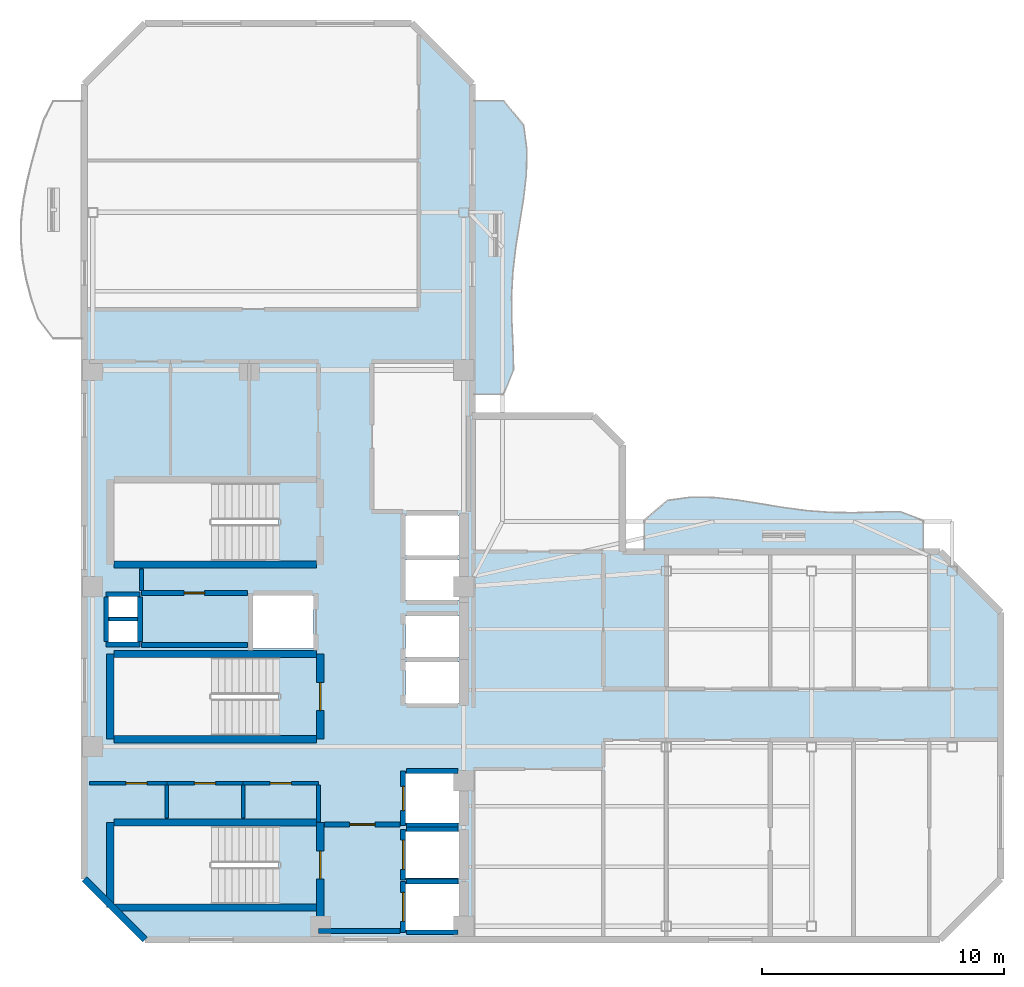
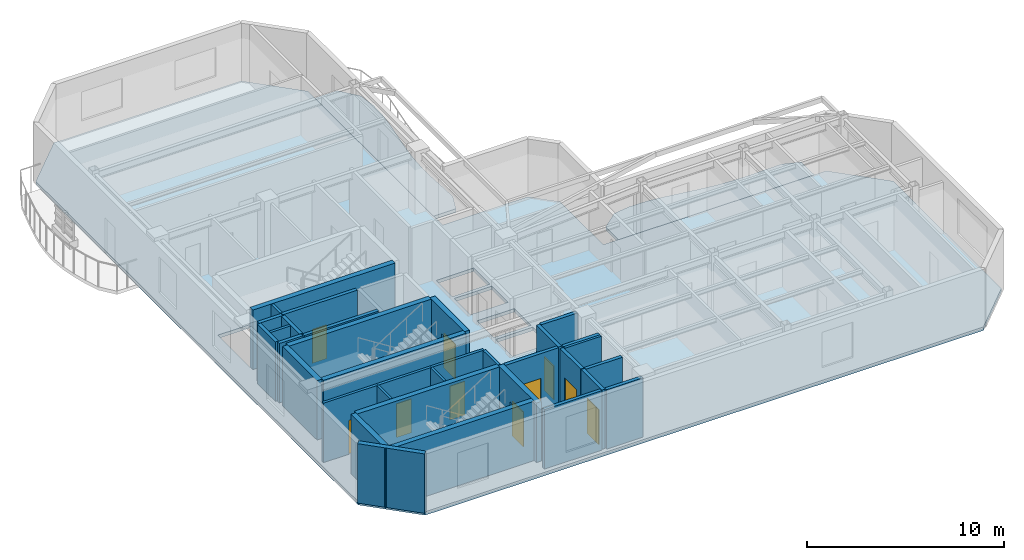
# One storey, part 2 of 7: 34 walls, 10 doors, 3 slabs, 10 openings.
"""IFC4 building model written with IfcOpenShell, lengths in metres."""

import ifcopenshell
import ifcopenshell.guid

model = None  # the IFC model being written
_history = None  # IfcOwnerHistory: only IFC2X3 demands one
_inside = {}  # id of a spatial element -> (the spatial element, [elements in it])
_under = {}  # id of a project, library or spatial element -> (it, [spatial elements below it])
_declared = {}  # id of a project -> (the project, [libraries it declares])
_typed = {}  # id of a type object -> (the type object, [elements of that type])
_made_of = {}  # id of a material, layer set ... -> (it, [elements and type objects made of it])


def new_model(schema):
    """Start an empty IFC model of exactly this schema.

    Asked for "IFC4X3", IfcOpenShell would pick the latest addendum, in which some entities
    have other attributes; the version numbers below select the first issue.
    IFC2X3 requires an IfcOwnerHistory on every rooted entity: one is made here for all.
    """
    global model, _history
    if schema == "IFC4X3":
        model = ifcopenshell.file(schema_version=(4, 3, 0, 0))
    else:
        model = ifcopenshell.file(schema=schema)
    _inside.clear()
    _under.clear()
    _declared.clear()
    _typed.clear()
    _made_of.clear()
    _history = None
    if model.schema == "IFC2X3":
        org = make("IfcOrganization", Name="unknown")
        user = make(
            "IfcPersonAndOrganization",
            ThePerson=make("IfcPerson", FamilyName="unknown"),
            TheOrganization=org,
        )
        app = make(
            "IfcApplication",
            ApplicationDeveloper=org,
            Version="unknown",
            ApplicationFullName="unknown",
            ApplicationIdentifier="unknown",
        )
        _history = make(
            "IfcOwnerHistory",
            OwningUser=user,
            OwningApplication=app,
            ChangeAction="ADDED",
            CreationDate=0,
        )
    return model


def make(cls, **values):
    """One entity of the class cls with the attributes given. An attribute that is None is left unset."""
    return model.create_entity(
        cls, **{name: value for name, value in values.items() if value is not None}
    )


def rooted(cls, **values):
    """An entity with a GlobalId (a new one), such as an element, a storey or a relation."""
    return make(cls, GlobalId=ifcopenshell.guid.new(), OwnerHistory=_history, **values)


def si_unit(unit_type, name, prefix=None):
    """IfcSIUnit, for example si_unit("LENGTHUNIT", "METRE", prefix="MILLI")."""
    return make("IfcSIUnit", UnitType=unit_type, Prefix=prefix, Name=name)


def assignment(units):
    """IfcUnitAssignment: the units of a project."""
    return None if units is None else make("IfcUnitAssignment", Units=units)


def point(xyz):
    """IfcCartesianPoint."""
    return None if xyz is None else make("IfcCartesianPoint", Coordinates=xyz)


def direction(xyz):
    """IfcDirection."""
    return None if xyz is None else make("IfcDirection", DirectionRatios=xyz)


def frame(location, z_axis=None, x_axis=None):
    """IfcAxis2Placement3D, a coordinate frame: its origin and axes. An axis left out is left unset."""
    return make(
        "IfcAxis2Placement3D",
        Location=point(location),
        Axis=direction(z_axis),
        RefDirection=direction(x_axis),
    )


def frame_2d(location, x_axis=None):
    """IfcAxis2Placement2D, a coordinate frame in the plane: its origin and x axis."""
    return make(
        "IfcAxis2Placement2D", Location=point(location), RefDirection=direction(x_axis)
    )


def origin():
    """The frame at (0, 0, 0) with its axes left unset."""
    return frame((0.0, 0.0, 0.0))


def place(relative_to, where):
    """IfcLocalPlacement: puts the frame where relative to a parent placement (None: the world)."""
    return make(
        "IfcLocalPlacement", PlacementRelTo=relative_to, RelativePlacement=where
    )


def context(
    kind, dimensions, precision=None, world=None, true_north=None, identifier=None
):
    """IfcGeometricRepresentationContext, for example the 3D "Model" context."""
    return make(
        "IfcGeometricRepresentationContext",
        ContextIdentifier=identifier,
        ContextType=kind,
        CoordinateSpaceDimension=dimensions,
        Precision=precision,
        WorldCoordinateSystem=world,
        TrueNorth=true_north,
    )


def subcontext(parent, identifier, kind, view, scale=None):
    """IfcGeometricRepresentationSubContext, for example "Body" below "Model"."""
    return make(
        "IfcGeometricRepresentationSubContext",
        ContextIdentifier=identifier,
        ContextType=kind,
        ParentContext=parent,
        TargetScale=scale,
        TargetView=view,
    )


def project(units=None, contexts=None):
    """IfcProject with its units and contexts."""
    return rooted(
        "IfcProject",
        Name="project",
        RepresentationContexts=contexts,
        UnitsInContext=assignment(units),
    )


def spatial(cls, under=None, at=None, **own):
    """A site, building, storey or space (cls), placed at a placement, below another one or the project."""
    s = rooted(cls, ObjectPlacement=at, **own)
    if under is not None:
        _under.setdefault(under.id(), (under, []))[1].append(s)
    return s


def polyline(points):
    """IfcPolyline through the points."""
    return make("IfcPolyline", Points=[point(p) for p in points])


def profile(cls, at=None, kind="AREA", **sizes):
    """A parametric profile (cls). Its sizes go by their IFC names, for example OverallWidth=200.0."""
    return make(cls, ProfileType=kind, Position=at, **sizes)


def rectangle(**sizes):
    """IfcRectangleProfileDef."""
    return profile("IfcRectangleProfileDef", **sizes)


def outline(outer, holes=None, kind="AREA"):
    """IfcArbitraryClosedProfileDef: a profile drawn as a closed curve; with holes, ...WithVoids."""
    if holes is None:
        return make("IfcArbitraryClosedProfileDef", ProfileType=kind, OuterCurve=outer)
    return make(
        "IfcArbitraryProfileDefWithVoids",
        ProfileType=kind,
        OuterCurve=outer,
        InnerCurves=holes,
    )


def extrude(swept, where, along, depth):
    """IfcExtrudedAreaSolid: the profile swept, set in the frame where, extruded along a direction by depth."""
    return make(
        "IfcExtrudedAreaSolid",
        SweptArea=swept,
        Position=where,
        ExtrudedDirection=direction(along),
        Depth=depth,
    )


def shape(context_of_items, identifier, shape_type, items):
    """IfcShapeRepresentation: the items that make up one representation, for example the "Body"."""
    return make(
        "IfcShapeRepresentation",
        ContextOfItems=context_of_items,
        RepresentationIdentifier=identifier,
        RepresentationType=shape_type,
        Items=items,
    )


def material(Name=None, Category=None):
    """IfcMaterial."""
    return make("IfcMaterial", Name=Name, Category=Category)


def layer(
    of_material, thickness, ventilated=None, Name=None, Category=None, Priority=None
):
    """IfcMaterialLayer: one layer of a wall or slab, of a material (None: an air gap)."""
    return make(
        "IfcMaterialLayer",
        Material=of_material,
        LayerThickness=thickness,
        IsVentilated=ventilated,
        Name=Name,
        Category=Category,
        Priority=Priority,
    )


def layer_set(layers, Name=None):
    """IfcMaterialLayerSet."""
    return make("IfcMaterialLayerSet", MaterialLayers=layers, LayerSetName=Name)


def made_of(thing, what):
    """Note that an element or type object is made of a material, layer set ...; save() writes the relation."""
    if what is not None:
        _made_of.setdefault(what.id(), (what, []))[1].append(thing)
    return thing


def type_object(cls, material=None, **own):
    """A type object (cls), such as IfcWallType, which elements share."""
    return made_of(rooted(cls, **own), material)


def element(
    cls,
    number,
    at=None,
    inside=None,
    cuts=None,
    type_object=None,
    material=None,
    context=None,
    identifier="Body",
    shape_type=None,
    held_by="IfcProductDefinitionShape",
    body=None,
    shapes=None,
    **own,
):
    """One element of the class cls, such as IfcWall. Its Tag is "e" and its number.

    at: its placement. inside: the storey or other place that contains it. cuts: it is an
    opening in that element (IfcRelVoidsElement). A single representation is given by context,
    identifier, shape_type and body (its items); several are given by shapes. held_by: the class
    of the entity that holds the representations. save() writes the other relations.
    """
    e = rooted(cls, Tag="e%d" % number, ObjectPlacement=at, **own)
    if body is not None:
        shapes = [shape(context, identifier, shape_type, body)]
    if shapes is not None:
        e.Representation = make(held_by, Representations=shapes)
    if inside is not None:
        _inside.setdefault(inside.id(), (inside, []))[1].append(e)
    if cuts is not None:
        rooted(
            "IfcRelVoidsElement", RelatingBuildingElement=cuts, RelatedOpeningElement=e
        )
    if type_object is not None:
        _typed.setdefault(type_object.id(), (type_object, []))[1].append(e)
    return made_of(e, material)


def fill(opening, filler):
    """IfcRelFillsElement: the door or window that sits in an opening."""
    return rooted(
        "IfcRelFillsElement",
        RelatingOpeningElement=opening,
        RelatedBuildingElement=filler,
    )


def aggregate(whole, parts):
    """IfcRelAggregates: a whole, such as a stair, and the parts it consists of."""
    return rooted("IfcRelAggregates", RelatingObject=whole, RelatedObjects=parts)


def save(model, path):
    """Write the relations noted so far, then the file.

    IfcRelAggregates (storeys below a building ...), IfcRelContainedInSpatialStructure (elements
    in a storey), IfcRelDefinesByType, IfcRelAssociatesMaterial and IfcRelDeclares: one each for
    every whole, place, type object, material and project.
    """
    for whole, parts in _under.values():
        aggregate(whole, parts)
    for where, things in _inside.values():
        rooted(
            "IfcRelContainedInSpatialStructure",
            RelatedElements=things,
            RelatingStructure=where,
        )
    for kind, things in _typed.values():
        rooted("IfcRelDefinesByType", RelatedObjects=things, RelatingType=kind)
    for what, things in _made_of.values():
        rooted("IfcRelAssociatesMaterial", RelatedObjects=things, RelatingMaterial=what)
    for by, libraries in _declared.values():
        rooted("IfcRelDeclares", RelatingContext=by, RelatedDefinitions=libraries)
    model.write(path)


model = new_model("IFC4")

# Units and contexts
model_context = context("Model", 3, precision=1e-05, world=origin(), true_north=direction((0.0, 1.0)))
body_context = subcontext(model_context, "Body", "Model", "MODEL_VIEW")
ifc_project = project(units=[si_unit("LENGTHUNIT", "METRE"), si_unit("AREAUNIT", "SQUARE_METRE"), si_unit("VOLUMEUNIT", "CUBIC_METRE"), si_unit("PLANEANGLEUNIT", "RADIAN"), si_unit("MASSUNIT", "GRAM", prefix="KILO")], contexts=[model_context])

# Site, building, storey
site_placement = place(None, origin())
site = spatial("IfcSite", under=ifc_project, at=site_placement, CompositionType="ELEMENT")
building_placement = place(site_placement, origin())
building = spatial("IfcBuilding", under=site, at=building_placement, Name="Mawjaban Terraces University", CompositionType="ELEMENT")
storey_placement = place(building_placement, frame((0.0, 0.0, 283.300048828125)))
storey = spatial("IfcBuildingStorey", under=building, at=storey_placement, Name="L69", CompositionType="ELEMENT", Elevation=283.300048828125)

# Slabs
ifc_material_1 = material(Name="Concrete C40/50", Category="concrete")
ifc_layer_1 = layer(ifc_material_1, 0.2099609375)
ifc_layer_set_1 = layer_set([ifc_layer_1], Name="Concrete C40/50")
slab_type_1 = type_object("IfcSlabType", Name="BalconySlab_210_Ext", PredefinedType="FLOOR", material=ifc_layer_set_1)
slab_1_placement = place(storey_placement, frame((0.0, 0.0, -0.2099609375)))
element("IfcSlab", 1, at=slab_1_placement, inside=storey, type_object=slab_type_1, Name="L69 Planted Balcony Slab inner_north", PredefinedType="FLOOR", context=body_context, shape_type="SweptSolid", body=[
    extrude(outline(polyline([(45.10009765625, 15.989990234375), (56.60009765625, 15.989990234375), (56.60009765625, 17.300048828125), (55.64208984375, 17.655029296875), (54.68310546875, 17.638916015625), (53.72509765625, 17.612060546875), (52.76708984375, 17.625), (51.80810546875, 17.696044921875), (50.85009765625, 17.822998046875), (49.89208984375, 17.98095703125), (48.93310546875, 18.134033203125), (47.97509765625, 18.239013671875), (47.01708984375, 18.251953125), (46.05810546875, 18.118896484375), (45.10009765625, 17.300048828125), (45.10009765625, 15.989990234375)])), origin(), (0.0, 0.0, 1.0), 0.2099609375),
])
slab_2_placement = place(storey_placement, frame((0.0, 0.0, -0.2099609375)))
element("IfcSlab", 2, at=slab_2_placement, inside=storey, type_object=slab_type_1, Name="L69 Planted Balcony Slab inner_east", PredefinedType="FLOOR", context=body_context, shape_type="SweptSolid", body=[
    extrude(outline(polyline([(39.300048828125, 22.5), (39.7041015625, 23.508056640625), (39.678955078125, 24.51708984375), (39.631103515625, 25.52490234375), (39.62109375, 26.532958984375), (39.675048828125, 27.5419921875), (39.79296875, 28.550048828125), (39.952880859375, 29.55810546875), (40.114990234375, 30.56689453125), (40.23095703125, 31.574951171875), (40.251953125, 32.5830078125), (40.12109375, 33.592041015625), (39.300048828125, 34.60009765625), (37.989990234375, 34.60009765625), (37.989990234375, 22.5), (39.300048828125, 22.5)])), origin(), (0.0, 0.0, 1.0), 0.2099609375),
])
ifc_layer_2 = layer(ifc_material_1, 0.2099609375)
ifc_layer_set_2 = layer_set([ifc_layer_2], Name="Concrete C40/50")
slab_type_2 = type_object("IfcSlabType", Name="CompositeSlab_210", PredefinedType="FLOOR", material=ifc_layer_set_2)
slab_3_placement = place(storey_placement, frame((0.0, 0.0, -0.2099609375)))
element("IfcSlab", 3, at=slab_3_placement, inside=storey, type_object=slab_type_2, Name="L69 Primary Structural Slab", PredefinedType="FLOOR", context=body_context, shape_type="SweptSolid", body=[
    extrude(outline(polyline([(24.5, 0.0), (57.300048828125, 0.0), (59.800048828125, 2.5), (59.800048828125, 13.5), (57.300048828125, 16.0), (44.199951171875, 16.0), (44.199951171875, 20.39990234375), (43.0, 21.60009765625), (38.0, 21.60009765625), (38.0, 35.300048828125), (35.5, 37.800048828125), (24.5, 37.800048828125), (22.0, 35.300048828125), (22.0, 2.5), (24.5, 0.0)]), holes=[polyline([(30.014892578125, 4.699951171875), (23.199951171875, 4.699951171875), (23.199951171875, 1.449951171875), (30.014892578125, 1.449951171875), (30.014892578125, 4.699951171875)]), polyline([(30.014892578125, 18.85009765625), (23.199951171875, 18.85009765625), (23.199951171875, 15.60009765625), (30.014892578125, 15.60009765625), (30.014892578125, 18.85009765625)]), polyline([(30.014892578125, 11.64990234375), (23.199951171875, 11.64990234375), (23.199951171875, 8.39990234375), (30.014892578125, 8.39990234375), (30.014892578125, 11.64990234375)]), polyline([(35.25, 0.39990234375), (37.449951171875, 0.39990234375), (37.449951171875, 2.300048828125), (35.25, 2.300048828125), (35.25, 0.39990234375)]), polyline([(35.25, 2.550048828125), (37.449951171875, 2.550048828125), (37.449951171875, 4.449951171875), (35.25, 4.449951171875), (35.25, 2.550048828125)]), polyline([(35.25, 4.800048828125), (37.449951171875, 4.800048828125), (37.449951171875, 6.85009765625), (35.25, 6.85009765625), (35.25, 4.800048828125)]), polyline([(35.25, 9.75), (37.449951171875, 9.75), (37.449951171875, 11.449951171875), (35.25, 11.449951171875), (35.25, 9.75)]), polyline([(35.25, 11.64990234375), (37.449951171875, 11.64990234375), (37.449951171875, 13.35009765625), (35.25, 13.35009765625), (35.25, 11.64990234375)]), polyline([(28.949951171875, 12.0), (31.449951171875, 12.0), (31.449951171875, 14.199951171875), (28.949951171875, 14.199951171875), (28.949951171875, 12.0)]), polyline([(35.25, 14.0), (37.449951171875, 14.0), (37.449951171875, 15.64990234375), (35.25, 15.64990234375), (35.25, 14.0)]), polyline([(35.25, 15.85009765625), (37.449951171875, 15.85009765625), (37.449951171875, 17.5), (35.25, 17.5), (35.25, 15.85009765625)]), polyline([(23.0, 12.25), (24.199951171875, 12.25), (24.199951171875, 13.14990234375), (23.0, 13.14990234375), (23.0, 12.25)]), polyline([(23.0, 13.300048828125), (24.199951171875, 13.300048828125), (24.199951171875, 14.179931640625), (23.0, 14.179931640625), (23.0, 13.300048828125)])]), origin(), (0.0, 0.0, 1.0), 0.2099609375),
])

# Wall, opening, door
ifc_material_2 = material(Name="Fire-rated gypsum board on steel stud", Category="steel")
ifc_layer_3 = layer(ifc_material_2, 0.159912109375)
ifc_layer_set_3 = layer_set([ifc_layer_3], Name="Fire-rated gypsum board on steel stud")
wall_type_1 = type_object("IfcWallType", Name="CorridorPartition_160", PredefinedType="PARTITIONING", material=ifc_layer_set_3)
wall_1_placement = place(storey_placement, frame((22.199951171875, 6.449951171875, 0.0), z_axis=(0.0, 0.0, 1.0), x_axis=(1.0, 0.0, 0.0)))
wall_1 = element("IfcWall", 4, at=wall_1_placement, inside=storey, type_object=wall_type_1, Name="L69 Core Washroom Lobby Partition 1", PredefinedType="PARTITIONING", context=body_context, shape_type="SweptSolid", body=[
    extrude(rectangle(XDim=3.199951171875, YDim=0.159912109375, at=frame_2d((1.60009765625, 0.0))), origin(), (0.0, 0.0, 1.0), 3.68994140625),
])
opening_1_placement = place(wall_1_placement, frame((1.510009765625, 0.0, 0.0)))
opening_1 = element("IfcOpeningElement", 5, at=opening_1_placement, cuts=wall_1, Name="Opening ID-088", PredefinedType="OPENING", context=body_context, shape_type="SweptSolid", body=[
    extrude(rectangle(XDim=0.8798828125, YDim=2.10009765625, at=frame_2d((0.43994140625, 1.050048828125))), frame((0.0, 0.08984375, 0.0), z_axis=(0.0, -1.0, 0.0), x_axis=(1.0, 0.0, 0.0)), (0.0, 0.0, 1.0), 0.179931640625),
])
ifc_material_3 = material(Name="Powder-coated steel frame and solid acoustic timber leaf", Category="steel")
door_type_1 = type_object("IfcDoorType", Name="ToiletDoor_880x2100", OperationType="NOTDEFINED", PredefinedType="DOOR", material=ifc_material_3)
door_1_placement = place(opening_1_placement, origin())
door_1 = element("IfcDoor", 6, at=door_1_placement, inside=storey, type_object=door_type_1, Name="L69 Male Toilet Door", OperationType="SINGLE_SWING_RIGHT", OverallHeight=2.10009765625, OverallWidth=0.8798828125, PredefinedType="DOOR", context=body_context, shape_type="SweptSolid", body=[
    extrude(rectangle(XDim=0.8798828125, YDim=2.10009765625, at=frame_2d((0.43994140625, 1.050048828125))), frame((0.0, 0.02490234375, 0.0), z_axis=(0.0, -1.0, 0.0), x_axis=(1.0, 0.0, 0.0)), (0.0, 0.0, 1.0), 0.050048828125),
])
fill(opening_1, door_1)

wall_2_placement = place(storey_placement, frame((25.39990234375, 6.449951171875, 0.0), z_axis=(0.0, 0.0, 1.0), x_axis=(1.0, 0.0, 0.0)))
wall_2 = element("IfcWall", 7, at=wall_2_placement, inside=storey, type_object=wall_type_1, Name="L69 Core Washroom Lobby Partition 4", PredefinedType="PARTITIONING", context=body_context, shape_type="SweptSolid", body=[
    extrude(rectangle(XDim=3.150146484375, YDim=0.159912109375, at=frame_2d((1.5751953125, 0.0))), origin(), (0.0, 0.0, 1.0), 3.68994140625),
])
opening_2_placement = place(wall_2_placement, frame((1.135009765625, 0.0, 0.0)))
opening_2 = element("IfcOpeningElement", 8, at=opening_2_placement, cuts=wall_2, Name="Opening ID-088", PredefinedType="OPENING", context=body_context, shape_type="SweptSolid", body=[
    extrude(rectangle(XDim=0.8798828125, YDim=2.10009765625, at=frame_2d((0.43994140625, 1.050048828125))), frame((0.0, 0.08984375, 0.0), z_axis=(0.0, -1.0, 0.0), x_axis=(1.0, 0.0, 0.0)), (0.0, 0.0, 1.0), 0.179931640625),
])
door_2_placement = place(opening_2_placement, origin())
door_2 = element("IfcDoor", 9, at=door_2_placement, inside=storey, type_object=door_type_1, Name="L69 Female Toilet Door", OperationType="SINGLE_SWING_LEFT", OverallHeight=2.10009765625, OverallWidth=0.8798828125, PredefinedType="DOOR", context=body_context, shape_type="SweptSolid", body=[
    extrude(rectangle(XDim=0.8798828125, YDim=2.10009765625, at=frame_2d((0.43994140625, 1.050048828125))), frame((0.0, 0.02490234375, 0.0), z_axis=(0.0, -1.0, 0.0), x_axis=(1.0, 0.0, 0.0)), (0.0, 0.0, 1.0), 0.050048828125),
])
fill(opening_2, door_2)

wall_3_placement = place(storey_placement, frame((28.550048828125, 6.449951171875, 0.0), z_axis=(0.0, 0.0, 1.0), x_axis=(1.0, 0.0, 0.0)))
wall_3 = element("IfcWall", 10, at=wall_3_placement, inside=storey, type_object=wall_type_1, Name="L69 Core Washroom Lobby Partition 6", PredefinedType="PARTITIONING", context=body_context, shape_type="SweptSolid", body=[
    extrude(rectangle(XDim=3.099853515625, YDim=0.159912109375, at=frame_2d((1.5498046875, 0.0))), origin(), (0.0, 0.0, 1.0), 3.68994140625),
])
opening_3_placement = place(wall_3_placement, frame((1.110107421875, 0.0, 0.0)))
opening_3 = element("IfcOpeningElement", 11, at=opening_3_placement, cuts=wall_3, Name="Opening ID-088", PredefinedType="OPENING", context=body_context, shape_type="SweptSolid", body=[
    extrude(rectangle(XDim=0.8798828125, YDim=2.10009765625, at=frame_2d((0.43994140625, 1.050048828125))), frame((0.0, 0.08984375, 0.0), z_axis=(0.0, -1.0, 0.0), x_axis=(1.0, 0.0, 0.0)), (0.0, 0.0, 1.0), 0.179931640625),
])
door_3_placement = place(opening_3_placement, origin())
door_3 = element("IfcDoor", 12, at=door_3_placement, inside=storey, type_object=door_type_1, Name="L69 Accessible Toilet Door", OperationType="SINGLE_SWING_RIGHT", OverallHeight=2.10009765625, OverallWidth=0.8798828125, PredefinedType="DOOR", context=body_context, shape_type="SweptSolid", body=[
    extrude(rectangle(XDim=0.8798828125, YDim=2.10009765625, at=frame_2d((0.43994140625, 1.050048828125))), frame((0.0, 0.02490234375, 0.0), z_axis=(0.0, -1.0, 0.0), x_axis=(1.0, 0.0, 0.0)), (0.0, 0.0, 1.0), 0.050048828125),
])
fill(opening_3, door_3)

# Walls
wall_4_placement = place(storey_placement, frame((24.35009765625, 15.2900390625, 0.0), z_axis=(0.0, 0.0, 1.0), x_axis=(0.0, -1.0, 0.0)))
element("IfcWall", 13, at=wall_4_placement, inside=storey, type_object=wall_type_1, Name="L69 Core Riser Access Passage Partition 27", PredefinedType="PARTITIONING", context=body_context, shape_type="SweptSolid", body=[
    extrude(rectangle(XDim=0.89501953125, YDim=0.159912109375, at=frame_2d((0.447509765625, 0.0))), origin(), (0.0, 0.0, 1.0), 3.68994140625),
])
wall_5_placement = place(storey_placement, frame((31.64990234375, 4.860107421875, 0.0), z_axis=(0.0, 0.0, 1.0), x_axis=(0.0, 1.0, 0.0)))
element("IfcWall", 14, at=wall_5_placement, inside=storey, type_object=wall_type_1, Name="L69 Accessible Toilet Partition 32", PredefinedType="PARTITIONING", context=body_context, shape_type="SweptSolid", body=[
    extrude(rectangle(XDim=1.514892578125, YDim=0.159912109375, at=frame_2d((0.75732421875, 0.0))), origin(), (0.0, 0.0, 1.0), 3.68994140625),
])
ifc_material_4 = material(Name="Insulated terracotta rainscreen on concrete backup C40/50", Category="masonry")
ifc_layer_4 = layer(ifc_material_4, 0.27490234375)
ifc_layer_set_4 = layer_set([ifc_layer_4], Name="Insulated terracotta rainscreen on concrete backup C40/50")
wall_type_2 = type_object("IfcWallType", Name="ExtTerracottaWall_275", PredefinedType="SOLIDWALL", material=ifc_layer_set_4)
wall_6_placement = place(storey_placement, frame((22.0, 2.5, 0.0), z_axis=(0.0, 0.0, 1.0), x_axis=(0.707106781187, -0.707106781187, 0.0)))
element("IfcWall", 15, at=wall_6_placement, inside=storey, type_object=wall_type_2, Name="L69 Exterior Terracotta Wall 14", PredefinedType="SOLIDWALL", context=body_context, shape_type="SweptSolid", body=[
    extrude(rectangle(XDim=3.53564453125, YDim=0.27490234375, at=frame_2d((1.767822265625, 0.0))), origin(), (0.0, 0.0, 1.0), 3.68994140625),
])

# Wall, opening, door
ifc_layer_5 = layer(ifc_material_1, 0.199951171875)
ifc_layer_set_5 = layer_set([ifc_layer_5], Name="Concrete C40/50")
wall_type_3 = type_object("IfcWallType", Name="FireLobbyWall_200", PredefinedType="SOLIDWALL", material=ifc_layer_set_5)
wall_7_placement = place(storey_placement, frame((35.14990234375, 2.39990234375, 0.0), z_axis=(0.0, 0.0, 1.0), x_axis=(0.0, -1.0, 0.0)))
wall_7 = element("IfcWall", 16, at=wall_7_placement, inside=storey, type_object=wall_type_3, Name="L69 Lift FL-1 Hoistway Wall West", PredefinedType="SOLIDWALL", context=body_context, shape_type="SweptSolid", body=[
    extrude(rectangle(XDim=2.099853515625, YDim=0.199951171875, at=frame_2d((1.0498046875, 0.0))), origin(), (0.0, 0.0, 1.0), 3.68994140625),
])
opening_4_placement = place(wall_7_placement, frame((0.449951171875, 0.0, 0.0)))
opening_4 = element("IfcOpeningElement", 17, at=opening_4_placement, cuts=wall_7, Name="Opening LD-FL-1", PredefinedType="OPENING", context=body_context, shape_type="SweptSolid", body=[
    extrude(rectangle(XDim=1.199951171875, YDim=2.14990234375, at=frame_2d((0.60009765625, 1.074951171875))), frame((0.0, 0.10986328125, 0.0), z_axis=(0.0, -1.0, 0.0), x_axis=(1.0, 0.0, 0.0)), (0.0, 0.0, 1.0), 0.219970703125),
])
ifc_material_5 = material(Name="Powder-coated steel frame and fire-rated steel-faced leaf", Category="steel")
door_type_2 = type_object("IfcDoorType", Name="LiftLandingFSAE_1200x2150", OperationType="NOTDEFINED", PredefinedType="DOOR", material=ifc_material_5)
door_4_placement = place(opening_4_placement, origin())
door_4 = element("IfcDoor", 18, at=door_4_placement, inside=storey, type_object=door_type_2, Name="L69 Lift FL-1 Sliding Landing Door", OperationType="DOUBLE_DOOR_SLIDING", OverallHeight=2.14990234375, OverallWidth=1.199951171875, PredefinedType="DOOR", context=body_context, shape_type="SweptSolid", body=[
    extrude(rectangle(XDim=1.199951171875, YDim=2.14990234375, at=frame_2d((0.60009765625, 1.074951171875))), frame((0.0, 0.02490234375, 0.0), z_axis=(0.0, -1.0, 0.0), x_axis=(1.0, 0.0, 0.0)), (0.0, 0.0, 1.0), 0.050048828125),
])
fill(opening_4, door_4)

# Walls
for number, where, z_axis, x_axis, name in (
    (19, (35.280029296875, 0.300048828125, 0.0), (0.0, 0.0, 1.0), (1.0, 0.0, 0.0), "L69 Lift FL-1 Hoistway Wall South"),
    (20, (37.419921875, 2.39990234375, 0.0), (0.0, 0.0, 1.0), (-1.0, 0.0, 0.0), "L69 Lift FL-1 Hoistway Wall North"),
):
    element("IfcWall", number, at=place(storey_placement, frame(where, z_axis=z_axis, x_axis=x_axis)), inside=storey, type_object=wall_type_3, Name=name, PredefinedType="SOLIDWALL", context=body_context, shape_type="SweptSolid", body=[
        extrude(rectangle(XDim=2.139892578125, YDim=0.199951171875, at=frame_2d((1.06982421875, 0.0))), origin(), (0.0, 0.0, 1.0), 3.68994140625),
    ])

# Wall, opening, door
wall_8_placement = place(storey_placement, frame((35.14990234375, 4.550048828125, 0.0), z_axis=(0.0, 0.0, 1.0), x_axis=(0.0, -1.0, 0.0)))
wall_8 = element("IfcWall", 21, at=wall_8_placement, inside=storey, type_object=wall_type_3, Name="L69 Lift FL-2 Hoistway Wall West", PredefinedType="SOLIDWALL", context=body_context, shape_type="SweptSolid", body=[
    extrude(rectangle(XDim=2.10009765625, YDim=0.199951171875, at=frame_2d((1.050048828125, 0.0))), origin(), (0.0, 0.0, 1.0), 3.68994140625),
])
opening_5_placement = place(wall_8_placement, frame((0.449951171875, 0.0, 0.0)))
opening_5 = element("IfcOpeningElement", 22, at=opening_5_placement, cuts=wall_8, Name="Opening LD-FL-2", PredefinedType="OPENING", context=body_context, shape_type="SweptSolid", body=[
    extrude(rectangle(XDim=1.199951171875, YDim=2.14990234375, at=frame_2d((0.60009765625, 1.074951171875))), frame((0.0, 0.10986328125, 0.0), z_axis=(0.0, -1.0, 0.0), x_axis=(1.0, 0.0, 0.0)), (0.0, 0.0, 1.0), 0.219970703125),
])
door_5_placement = place(opening_5_placement, origin())
door_5 = element("IfcDoor", 23, at=door_5_placement, inside=storey, type_object=door_type_2, Name="L69 Lift FL-2 Sliding Landing Door", OperationType="DOUBLE_DOOR_SLIDING", OverallHeight=2.14990234375, OverallWidth=1.199951171875, PredefinedType="DOOR", context=body_context, shape_type="SweptSolid", body=[
    extrude(rectangle(XDim=1.199951171875, YDim=2.14990234375, at=frame_2d((0.60009765625, 1.074951171875))), frame((0.0, 0.02490234375, 0.0), z_axis=(0.0, -1.0, 0.0), x_axis=(1.0, 0.0, 0.0)), (0.0, 0.0, 1.0), 0.050048828125),
])
fill(opening_5, door_5)

# Wall
wall_9_placement = place(storey_placement, frame((37.419921875, 4.550048828125, 0.0), z_axis=(0.0, 0.0, 1.0), x_axis=(-1.0, 0.0, 0.0)))
element("IfcWall", 24, at=wall_9_placement, inside=storey, type_object=wall_type_3, Name="L69 Lift FL-2 Hoistway Wall North", PredefinedType="SOLIDWALL", context=body_context, shape_type="SweptSolid", body=[
    extrude(rectangle(XDim=2.139892578125, YDim=0.199951171875, at=frame_2d((1.06982421875, 0.0))), origin(), (0.0, 0.0, 1.0), 3.68994140625),
])

# Wall, opening, door
wall_10_placement = place(storey_placement, frame((35.14990234375, 6.949951171875, 0.0), z_axis=(0.0, 0.0, 1.0), x_axis=(0.0, -1.0, 0.0)))
wall_10 = element("IfcWall", 25, at=wall_10_placement, inside=storey, type_object=wall_type_3, Name="L69 Lift SL-1 Hoistway Wall West", PredefinedType="SOLIDWALL", context=body_context, shape_type="SweptSolid", body=[
    extrude(rectangle(XDim=2.25, YDim=0.199951171875, at=frame_2d((1.125, 0.0))), origin(), (0.0, 0.0, 1.0), 3.68994140625),
])
opening_6_placement = place(wall_10_placement, frame((0.625, 0.0, 0.0)))
opening_6 = element("IfcOpeningElement", 26, at=opening_6_placement, cuts=wall_10, Name="Opening LD-SL-1", PredefinedType="OPENING", context=body_context, shape_type="SweptSolid", body=[
    extrude(rectangle(XDim=1.0, YDim=2.10009765625, at=frame_2d((0.5, 1.050048828125))), frame((0.0, 0.10986328125, 0.0), z_axis=(0.0, -1.0, 0.0), x_axis=(1.0, 0.0, 0.0)), (0.0, 0.0, 1.0), 0.219970703125),
])
door_type_3 = type_object("IfcDoorType", Name="LiftLandingSliding_1000x2100", OperationType="NOTDEFINED", PredefinedType="DOOR", material=ifc_material_5)
door_6_placement = place(opening_6_placement, origin())
door_6 = element("IfcDoor", 27, at=door_6_placement, inside=storey, type_object=door_type_3, Name="L69 Lift SL-1 Sliding Landing Door", OperationType="DOUBLE_DOOR_SLIDING", OverallHeight=2.10009765625, OverallWidth=1.0, PredefinedType="DOOR", context=body_context, shape_type="SweptSolid", body=[
    extrude(rectangle(XDim=1.0, YDim=2.10009765625, at=frame_2d((0.5, 1.050048828125))), frame((0.0, 0.02490234375, 0.0), z_axis=(0.0, -1.0, 0.0), x_axis=(1.0, 0.0, 0.0)), (0.0, 0.0, 1.0), 0.050048828125),
])
fill(opening_6, door_6)

# Walls
for number, where, z_axis, x_axis, name in (
    (28, (35.280029296875, 4.699951171875, 0.0), (0.0, 0.0, 1.0), (1.0, 0.0, 0.0), "L69 Lift SL-1 Hoistway Wall South"),
    (29, (37.419921875, 6.949951171875, 0.0), (0.0, 0.0, 1.0), (-1.0, 0.0, 0.0), "L69 Lift SL-1 Hoistway Wall North"),
):
    element("IfcWall", number, at=place(storey_placement, frame(where, z_axis=z_axis, x_axis=x_axis)), inside=storey, type_object=wall_type_3, Name=name, PredefinedType="SOLIDWALL", context=body_context, shape_type="SweptSolid", body=[
        extrude(rectangle(XDim=2.139892578125, YDim=0.199951171875, at=frame_2d((1.06982421875, 0.0))), origin(), (0.0, 0.0, 1.0), 3.68994140625),
    ])
for number, where, z_axis, x_axis, name in (
    (30, (22.89990234375, 14.25, 0.0), (0.0, 0.0, 1.0), (1.0, 0.0, 0.0), "L69 MEP Riser Shaft Wall N"),
    (31, (22.89990234375, 12.179931640625, 0.0), (0.0, 0.0, 1.0), (1.0, 0.0, 0.0), "L69 MEP Riser Shaft Wall S"),
):
    element("IfcWall", number, at=place(storey_placement, frame(where, z_axis=z_axis, x_axis=x_axis)), inside=storey, type_object=wall_type_3, Name=name, PredefinedType="SOLIDWALL", context=body_context, shape_type="SweptSolid", body=[
        extrude(rectangle(XDim=1.400146484375, YDim=0.199951171875, at=frame_2d((0.7001953125, 0.0))), origin(), (0.0, 0.0, 1.0), 3.68994140625),
    ])
for number, where, z_axis, x_axis, name in (
    (32, (24.300048828125, 12.300048828125, 0.0), (0.0, 0.0, 1.0), (0.0, 1.0, 0.0), "L69 MEP Riser Shaft Wall E"),
    (33, (22.89990234375, 12.300048828125, 0.0), (0.0, 0.0, 1.0), (0.0, 1.0, 0.0), "L69 MEP Riser Shaft Wall W"),
):
    element("IfcWall", number, at=place(storey_placement, frame(where, z_axis=z_axis, x_axis=x_axis)), inside=storey, type_object=wall_type_3, Name=name, PredefinedType="SOLIDWALL", context=body_context, shape_type="SweptSolid", body=[
        extrude(rectangle(XDim=1.829833984375, YDim=0.199951171875, at=frame_2d((0.9150390625, 0.0))), origin(), (0.0, 0.0, 1.0), 3.68994140625),
    ])
wall_11_placement = place(storey_placement, frame((24.35009765625, 12.14990234375, 0.0), z_axis=(0.0, 0.0, 1.0), x_axis=(1.0, 0.0, 0.0)))
element("IfcWall", 34, at=wall_11_placement, inside=storey, type_object=wall_type_3, Name="L69 IT and Telecoms Riser Room Partition 2", PredefinedType="SOLIDWALL", context=body_context, shape_type="SweptSolid", body=[
    extrude(rectangle(XDim=4.369873046875, YDim=0.199951171875, at=frame_2d((2.18505859375, 0.0))), origin(), (0.0, 0.0, 1.0), 3.68994140625),
])

# Wall, opening, door
wall_12_placement = place(storey_placement, frame((24.35009765625, 14.300048828125, 0.0), z_axis=(0.0, 0.0, 1.0), x_axis=(1.0, 0.0, 0.0)))
wall_12 = element("IfcWall", 35, at=wall_12_placement, inside=storey, type_object=wall_type_3, Name="L69 Core Riser Access Passage Partition 3", PredefinedType="SOLIDWALL", context=body_context, shape_type="SweptSolid", body=[
    extrude(rectangle(XDim=4.369873046875, YDim=0.199951171875, at=frame_2d((2.18505859375, 0.0))), origin(), (0.0, 0.0, 1.0), 3.68994140625),
])
opening_7_placement = place(wall_12_placement, frame((1.760009765625, 0.0, 0.0)))
opening_7 = element("IfcOpeningElement", 36, at=opening_7_placement, cuts=wall_12, Name="Opening FD-085", PredefinedType="OPENING", context=body_context, shape_type="SweptSolid", body=[
    extrude(rectangle(XDim=0.85009765625, YDim=2.10009765625, at=frame_2d((0.425048828125, 1.050048828125))), frame((0.0, 0.10986328125, 0.0), z_axis=(0.0, -1.0, 0.0), x_axis=(1.0, 0.0, 0.0)), (0.0, 0.0, 1.0), 0.219970703125),
])
door_type_4 = type_object("IfcDoorType", Name="FireRiserDoor_850x2100", OperationType="NOTDEFINED", PredefinedType="DOOR", material=ifc_material_5)
door_7_placement = place(opening_7_placement, origin())
door_7 = element("IfcDoor", 37, at=door_7_placement, inside=storey, type_object=door_type_4, Name="L69 IT and Telecoms Riser Room Door", OperationType="SINGLE_SWING_LEFT", OverallHeight=2.10009765625, OverallWidth=0.85009765625, PredefinedType="DOOR", context=body_context, shape_type="SweptSolid", body=[
    extrude(rectangle(XDim=0.85009765625, YDim=2.10009765625, at=frame_2d((0.425048828125, 1.050048828125))), frame((0.0, 0.02490234375, 0.0), z_axis=(0.0, -1.0, 0.0), x_axis=(1.0, 0.0, 0.0)), (0.0, 0.0, 1.0), 0.050048828125),
])
fill(opening_7, door_7)

# Wall
wall_13_placement = place(storey_placement, frame((31.64990234375, 0.35009765625, 0.0), z_axis=(0.0, 0.0, 1.0), x_axis=(1.0, 0.0, 0.0)))
element("IfcWall", 38, at=wall_13_placement, inside=storey, type_object=wall_type_3, Name="L69 Firefighting Lift Lobby Partition 8", PredefinedType="SOLIDWALL", context=body_context, shape_type="SweptSolid", body=[
    extrude(rectangle(XDim=3.3701171875, YDim=0.199951171875, at=frame_2d((1.68505859375, 0.0))), origin(), (0.0, 0.0, 1.0), 3.68994140625),
])

# Wall, opening, door
wall_14_placement = place(storey_placement, frame((35.02001953125, 4.75, 0.0), z_axis=(0.0, 0.0, 1.0), x_axis=(-1.0, 0.0, 0.0)))
wall_14 = element("IfcWall", 39, at=wall_14_placement, inside=storey, type_object=wall_type_3, Name="L69 Firefighting Lift Lobby Partition 11", PredefinedType="SOLIDWALL", context=body_context, shape_type="SweptSolid", body=[
    extrude(rectangle(XDim=3.110107421875, YDim=0.199951171875, at=frame_2d((1.55517578125, 0.0))), origin(), (0.0, 0.0, 1.0), 3.68994140625),
])
opening_8_placement = place(wall_14_placement, frame((1.030029296875, 0.0, 0.0)))
opening_8 = element("IfcOpeningElement", 40, at=opening_8_placement, cuts=wall_14, Name="Opening FD-105", PredefinedType="OPENING", context=body_context, shape_type="SweptSolid", body=[
    extrude(rectangle(XDim=1.050048828125, YDim=2.14990234375, at=frame_2d((0.52490234375, 1.074951171875))), frame((0.0, 0.10986328125, 0.0), z_axis=(0.0, -1.0, 0.0), x_axis=(1.0, 0.0, 0.0)), (0.0, 0.0, 1.0), 0.219970703125),
])
door_type_5 = type_object("IfcDoorType", Name="FireLobbyDoor_1050x2150", OperationType="NOTDEFINED", PredefinedType="DOOR", material=ifc_material_5)
door_8_placement = place(opening_8_placement, origin())
door_8 = element("IfcDoor", 41, at=door_8_placement, inside=storey, type_object=door_type_5, Name="L69 Firefighting Lift Lobby Door", OperationType="SINGLE_SWING_LEFT", OverallHeight=2.14990234375, OverallWidth=1.050048828125, PredefinedType="DOOR", context=body_context, shape_type="SweptSolid", body=[
    extrude(rectangle(XDim=1.050048828125, YDim=2.14990234375, at=frame_2d((0.52490234375, 1.074951171875))), frame((0.0, 0.02490234375, 0.0), z_axis=(0.0, -1.0, 0.0), x_axis=(1.0, 0.0, 0.0)), (0.0, 0.0, 1.0), 0.050048828125),
])
fill(opening_8, door_8)

# Walls
ifc_material_6 = material(Name="Moisture-resistant gypsum board on steel stud", Category="steel")
ifc_layer_6 = layer(ifc_material_6, 0.14501953125)
ifc_layer_set_6 = layer_set([ifc_layer_6], Name="Moisture-resistant gypsum board on steel stud")
wall_type_4 = type_object("IfcWallType", Name="LabPartition_145", PredefinedType="PARTITIONING", material=ifc_layer_set_6)
wall_15_placement = place(storey_placement, frame((23.010009765625, 13.22509765625, 0.0), z_axis=(0.0, 0.0, 1.0), x_axis=(1.0, 0.0, 0.0)))
element("IfcWall", 42, at=wall_15_placement, inside=storey, type_object=wall_type_4, Name="L69 MEP Riser Shaft Wall M", PredefinedType="PARTITIONING", context=body_context, shape_type="SweptSolid", body=[
    extrude(rectangle(XDim=1.179931640625, YDim=0.14501953125, at=frame_2d((0.58984375, 0.0))), origin(), (0.0, 0.0, 1.0), 3.68994140625),
])
ifc_material_7 = material(Name="Concrete C60/75", Category="concrete")
ifc_layer_7 = layer(ifc_material_7, 0.300048828125)
ifc_layer_set_7 = layer_set([ifc_layer_7], Name="Concrete C60/75")
wall_type_5 = type_object("IfcWallType", Name="StairShaftWall_300", PredefinedType="SHEAR", material=ifc_layer_set_7)
wall_16_placement = place(storey_placement, frame((31.580078125, 4.830078125, 0.0), z_axis=(0.0, 0.0, 1.0), x_axis=(-1.0, 0.0, 0.0)))
element("IfcWall", 43, at=wall_16_placement, inside=storey, type_object=wall_type_5, Name="L69 ST-1 Stair Shaft Wall 1", PredefinedType="SHEAR", context=body_context, shape_type="SweptSolid", body=[
    extrude(rectangle(XDim=8.360107421875, YDim=0.300048828125, at=frame_2d((4.18017578125, 0.0))), origin(), (0.0, 0.0, 1.0), 3.68994140625),
])
wall_17_placement = place(storey_placement, frame((23.070068359375, 4.830078125, 0.0), z_axis=(0.0, 0.0, 1.0), x_axis=(0.0, -1.0, 0.0)))
element("IfcWall", 44, at=wall_17_placement, inside=storey, type_object=wall_type_5, Name="L69 ST-1 Stair Shaft Wall 2", PredefinedType="SHEAR", context=body_context, shape_type="SweptSolid", body=[
    extrude(rectangle(XDim=3.510009765625, YDim=0.300048828125, at=frame_2d((1.7548828125, 0.0))), origin(), (0.0, 0.0, 1.0), 3.68994140625),
])
wall_18_placement = place(storey_placement, frame((23.219970703125, 1.320068359375, 0.0), z_axis=(0.0, 0.0, 1.0), x_axis=(1.0, 0.0, 0.0)))
element("IfcWall", 45, at=wall_18_placement, inside=storey, type_object=wall_type_5, Name="L69 ST-1 Stair Shaft Wall 3", PredefinedType="SHEAR", context=body_context, shape_type="SweptSolid", body=[
    extrude(rectangle(XDim=8.360107421875, YDim=0.300048828125, at=frame_2d((4.18017578125, 0.0))), origin(), (0.0, 0.0, 1.0), 3.68994140625),
])

# Wall, opening, door
wall_19_placement = place(storey_placement, frame((31.72998046875, 0.9599609375, 0.0), z_axis=(0.0, 0.0, 1.0), x_axis=(0.0, 1.0, 0.0)))
wall_19 = element("IfcWall", 46, at=wall_19_placement, inside=storey, type_object=wall_type_5, Name="L69 ST-1 Stair Shaft Wall 4", PredefinedType="SHEAR", context=body_context, shape_type="SweptSolid", body=[
    extrude(rectangle(XDim=3.8701171875, YDim=0.300048828125, at=frame_2d((1.93505859375, 0.0))), origin(), (0.0, 0.0, 1.0), 3.68994140625),
])
opening_9_placement = place(wall_19_placement, frame((1.5400390625, 0.0, 0.0)))
opening_9 = element("IfcOpeningElement", 47, at=opening_9_placement, cuts=wall_19, Name="Opening FD-115", PredefinedType="OPENING", context=body_context, shape_type="SweptSolid", body=[
    extrude(rectangle(XDim=1.14990234375, YDim=2.14990234375, at=frame_2d((0.574951171875, 1.074951171875))), frame((0.0, 0.159912109375, 0.0), z_axis=(0.0, -1.0, 0.0), x_axis=(1.0, 0.0, 0.0)), (0.0, 0.0, 1.0), 0.320068359375),
])
door_type_6 = type_object("IfcDoorType", Name="FireStairDoor_1150x2150", OperationType="NOTDEFINED", PredefinedType="DOOR", material=ifc_material_5)
door_9_placement = place(opening_9_placement, origin())
door_9 = element("IfcDoor", 48, at=door_9_placement, inside=storey, type_object=door_type_6, Name="L69 ST-1 Pressurised Stair Fire Door", OperationType="SINGLE_SWING_RIGHT", OverallHeight=2.14990234375, OverallWidth=1.14990234375, PredefinedType="DOOR", context=body_context, shape_type="SweptSolid", body=[
    extrude(rectangle(XDim=1.14990234375, YDim=2.14990234375, at=frame_2d((0.574951171875, 1.074951171875))), frame((0.0, 0.02490234375, 0.0), z_axis=(0.0, -1.0, 0.0), x_axis=(1.0, 0.0, 0.0)), (0.0, 0.0, 1.0), 0.050048828125),
])
fill(opening_9, door_9)

# Walls
for number, where, z_axis, x_axis, name in (
    (49, (23.219970703125, 15.469970703125, 0.0), (0.0, 0.0, 1.0), (1.0, 0.0, 0.0), "L69 ST-2 Stair Shaft Wall 3"),
    (50, (31.580078125, 11.780029296875, 0.0), (0.0, 0.0, 1.0), (-1.0, 0.0, 0.0), "L69 ST-3 Stair Shaft Wall 1"),
):
    element("IfcWall", number, at=place(storey_placement, frame(where, z_axis=z_axis, x_axis=x_axis)), inside=storey, type_object=wall_type_5, Name=name, PredefinedType="SHEAR", context=body_context, shape_type="SweptSolid", body=[
        extrude(rectangle(XDim=8.360107421875, YDim=0.300048828125, at=frame_2d((4.18017578125, 0.0))), origin(), (0.0, 0.0, 1.0), 3.68994140625),
    ])
wall_20_placement = place(storey_placement, frame((23.070068359375, 11.780029296875, 0.0), z_axis=(0.0, 0.0, 1.0), x_axis=(0.0, -1.0, 0.0)))
element("IfcWall", 51, at=wall_20_placement, inside=storey, type_object=wall_type_5, Name="L69 ST-3 Stair Shaft Wall 2", PredefinedType="SHEAR", context=body_context, shape_type="SweptSolid", body=[
    extrude(rectangle(XDim=3.510009765625, YDim=0.300048828125, at=frame_2d((1.7548828125, 0.0))), origin(), (0.0, 0.0, 1.0), 3.68994140625),
])
wall_21_placement = place(storey_placement, frame((23.219970703125, 8.27001953125, 0.0), z_axis=(0.0, 0.0, 1.0), x_axis=(1.0, 0.0, 0.0)))
element("IfcWall", 52, at=wall_21_placement, inside=storey, type_object=wall_type_5, Name="L69 ST-3 Stair Shaft Wall 3", PredefinedType="SHEAR", context=body_context, shape_type="SweptSolid", body=[
    extrude(rectangle(XDim=8.360107421875, YDim=0.300048828125, at=frame_2d((4.18017578125, 0.0))), origin(), (0.0, 0.0, 1.0), 3.68994140625),
])

# Wall, opening, door
wall_22_placement = place(storey_placement, frame((31.72998046875, 8.27001953125, 0.0), z_axis=(0.0, 0.0, 1.0), x_axis=(0.0, 1.0, 0.0)))
wall_22 = element("IfcWall", 53, at=wall_22_placement, inside=storey, type_object=wall_type_5, Name="L69 ST-3 Stair Shaft Wall 4", PredefinedType="SHEAR", context=body_context, shape_type="SweptSolid", body=[
    extrude(rectangle(XDim=3.510009765625, YDim=0.300048828125, at=frame_2d((1.7548828125, 0.0))), origin(), (0.0, 0.0, 1.0), 3.68994140625),
])
opening_10_placement = place(wall_22_placement, frame((1.179931640625, 0.0, 0.0)))
opening_10 = element("IfcOpeningElement", 54, at=opening_10_placement, cuts=wall_22, Name="Opening FD-115", PredefinedType="OPENING", context=body_context, shape_type="SweptSolid", body=[
    extrude(rectangle(XDim=1.14990234375, YDim=2.14990234375, at=frame_2d((0.574951171875, 1.074951171875))), frame((0.0, 0.159912109375, 0.0), z_axis=(0.0, -1.0, 0.0), x_axis=(1.0, 0.0, 0.0)), (0.0, 0.0, 1.0), 0.320068359375),
])
door_10_placement = place(opening_10_placement, origin())
door_10 = element("IfcDoor", 55, at=door_10_placement, inside=storey, type_object=door_type_6, Name="L69 ST-3 Pressurised Stair Fire Door", OperationType="SINGLE_SWING_RIGHT", OverallHeight=2.14990234375, OverallWidth=1.14990234375, PredefinedType="DOOR", context=body_context, shape_type="SweptSolid", body=[
    extrude(rectangle(XDim=1.14990234375, YDim=2.14990234375, at=frame_2d((0.574951171875, 1.074951171875))), frame((0.0, 0.02490234375, 0.0), z_axis=(0.0, -1.0, 0.0), x_axis=(1.0, 0.0, 0.0)), (0.0, 0.0, 1.0), 0.050048828125),
])
fill(opening_10, door_10)

# Walls
ifc_material_8 = material(Name="Cement-board wet-room partition", Category="masonry")
ifc_layer_8 = layer(ifc_material_8, 0.135009765625)
ifc_layer_set_8 = layer_set([ifc_layer_8], Name="Cement-board wet-room partition")
wall_type_6 = type_object("IfcWallType", Name="WetRoomPartition_135", PredefinedType="PARTITIONING", material=ifc_layer_set_8)
for number, where, z_axis, x_axis, name in (
    (56, (25.39990234375, 5.010009765625, 0.0), (0.0, 0.0, 1.0), (0.0, 1.0, 0.0), "L69 Male Toilet Partition 28"),
    (57, (28.550048828125, 5.010009765625, 0.0), (0.0, 0.0, 1.0), (0.0, 1.0, 0.0), "L69 Female Toilet Partition 30"),
):
    element("IfcWall", number, at=place(storey_placement, frame(where, z_axis=z_axis, x_axis=x_axis)), inside=storey, type_object=wall_type_6, Name=name, PredefinedType="PARTITIONING", context=body_context, shape_type="SweptSolid", body=[
        extrude(rectangle(XDim=1.364990234375, YDim=0.135009765625, at=frame_2d((0.6826171875, 0.0))), origin(), (0.0, 0.0, 1.0), 3.68994140625),
    ])

save(model, "model.ifc")
